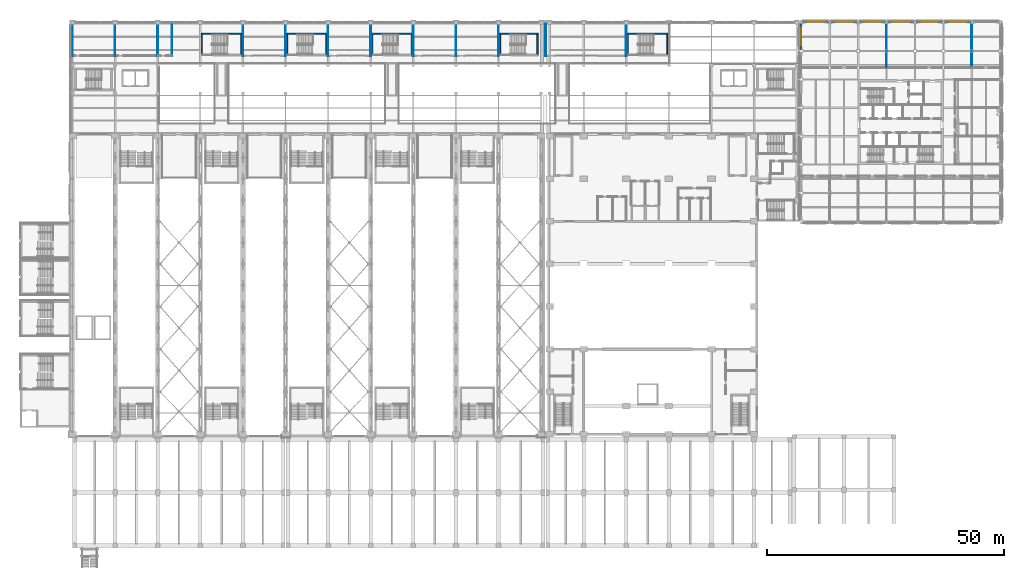
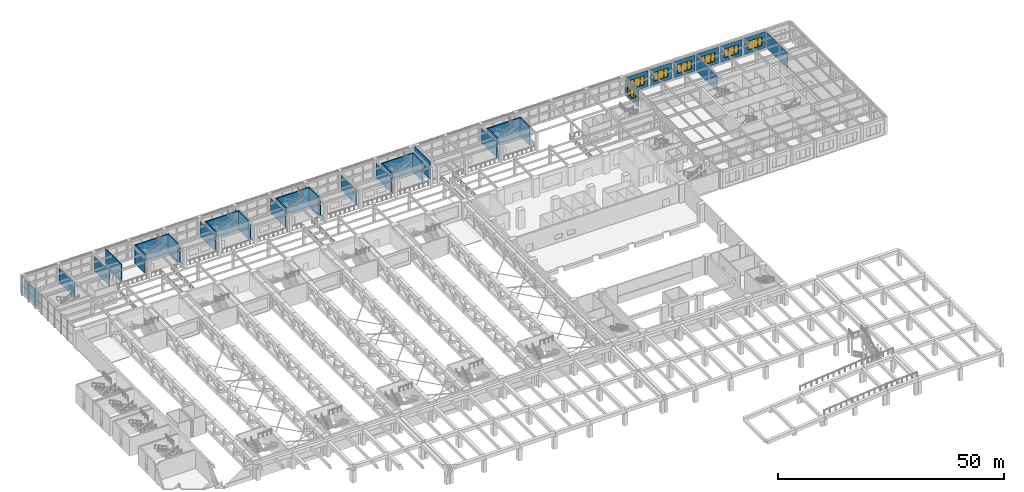
# One storey, part 45 of 76: 37 walls, 7 windows, 7 openings.
"""IFC4 building model written with IfcOpenShell, lengths in metres."""

from ifc_helpers import new_model, si_unit, direction, frame, frame_2d, origin, place, context, subcontext, project, spatial, polyline, rectangle, outline, extrude, material, layer, layer_set, type_object, element, fill, save


model = new_model("IFC4")

# Units and contexts
model_context = context("Model", 3, precision=1e-05, world=origin(), true_north=direction((0.0, 1.0)))
body_context = subcontext(model_context, "Body", "Model", "MODEL_VIEW")
ifc_project = project(units=[si_unit("LENGTHUNIT", "METRE"), si_unit("AREAUNIT", "SQUARE_METRE"), si_unit("VOLUMEUNIT", "CUBIC_METRE"), si_unit("PLANEANGLEUNIT", "RADIAN"), si_unit("MASSUNIT", "GRAM", prefix="KILO")], contexts=[model_context])

# Site, building, storey
site_placement = place(None, origin())
site = spatial("IfcSite", under=ifc_project, at=site_placement, CompositionType="ELEMENT")
building_placement = place(site_placement, origin())
building = spatial("IfcBuilding", under=site, at=building_placement, Name="Aravalli Gate Trade Fair Centre", CompositionType="ELEMENT")
storey_placement = place(building_placement, frame((0.0, 0.0, 10.0)))
storey = spatial("IfcBuildingStorey", under=building, at=storey_placement, Name="L02", CompositionType="ELEMENT", Elevation=10.0)

# Walls
ifc_material_1 = material(Name="Gypsum board")
ifc_layer_1 = layer(ifc_material_1, 0.02490234375, Name="Gypsum board lining")
ifc_material_2 = material(Name="Galvanised stud framing")
ifc_layer_2 = layer(ifc_material_2, 0.10009765625, Name="Stud framing")
ifc_layer_3 = layer(ifc_material_1, 0.02490234375, Name="Gypsum board lining")
ifc_layer_set_1 = layer_set([ifc_layer_1, ifc_layer_2, ifc_layer_3], Name="Partition wall 150")
wall_type_1 = type_object("IfcWallType", Name="Partition wall 150", PredefinedType="PARTITIONING", material=ifc_layer_set_1)
for number, where, z_axis, x_axis, name in (
    (1, (6.0, 125.925048828125, 0.0), (0.0, 0.0, 1.0), (0.0, 1.0, 0.0), "Partition 600 L02"),
    (2, (15.0, 125.925048828125, 0.0), (0.0, 0.0, 1.0), (0.0, 1.0, 0.0), "Partition 1500 L02"),
    (3, (24.0, 125.925048828125, 0.0), (0.0, 0.0, 1.0), (0.0, 1.0, 0.0), "Partition 2400 L02"),
):
    element("IfcWall", number, at=place(storey_placement, frame(where, z_axis=z_axis, x_axis=x_axis)), inside=storey, type_object=wall_type_1, Name=name, PredefinedType="PARTITIONING", context=body_context, shape_type="SweptSolid", body=[
        extrude(rectangle(XDim=6.675048828125, YDim=0.14990234375, at=frame_2d((3.33740234375, 0.0))), origin(), (0.0, 0.0, 1.0), 4.0),
    ])
wall_1_placement = place(storey_placement, frame((27.0, 125.925048828125, 0.0), z_axis=(0.0, 0.0, 1.0), x_axis=(0.0, 1.0, 0.0)))
element("IfcWall", 4, at=wall_1_placement, inside=storey, type_object=wall_type_1, Name="Partition 2700 L02", PredefinedType="PARTITIONING", context=body_context, shape_type="SweptSolid", body=[
    extrude(rectangle(XDim=6.994873046875, YDim=0.14990234375, at=frame_2d((3.49755859375, 0.0))), origin(), (0.0, 0.0, 1.0), 4.800048828125),
])
for number, where, z_axis, x_axis, name in (
    (5, (42.0, 125.925048828125, 0.0), (0.0, 0.0, 1.0), (0.0, 1.0, 0.0), "Partition 4200 L02"),
    (6, (51.0, 125.925048828125, 0.0), (0.0, 0.0, 1.0), (0.0, 1.0, 0.0), "Partition 5100 L02"),
    (7, (60.0, 125.925048828125, 0.0), (0.0, 0.0, 1.0), (0.0, 1.0, 0.0), "Partition 6000 L02"),
    (8, (69.0, 125.925048828125, 0.0), (0.0, 0.0, 1.0), (0.0, 1.0, 0.0), "Partition 6900 L02"),
    (9, (78.0, 125.925048828125, 0.0), (0.0, 0.0, 1.0), (0.0, 1.0, 0.0), "Partition 7800 L02"),
    (10, (87.0, 125.925048828125, 0.0), (0.0, 0.0, 1.0), (0.0, 1.0, 0.0), "Partition 8700 L02"),
    (11, (96.0, 125.925048828125, 0.0), (0.0, 0.0, 1.0), (0.0, 1.0, 0.0), "Partition 9600 L02"),
):
    element("IfcWall", number, at=place(storey_placement, frame(where, z_axis=z_axis, x_axis=x_axis)), inside=storey, type_object=wall_type_1, Name=name, PredefinedType="PARTITIONING", context=body_context, shape_type="SweptSolid", body=[
        extrude(rectangle(XDim=6.675048828125, YDim=0.14990234375, at=frame_2d((3.33740234375, 0.0))), origin(), (0.0, 0.0, 1.0), 4.0),
    ])
wall_2_placement = place(storey_placement, frame((106.0, 125.925048828125, 0.0), z_axis=(0.0, 0.0, 1.0), x_axis=(0.0, 1.0, 0.0)))
element("IfcWall", 12, at=wall_2_placement, inside=storey, type_object=wall_type_1, Name="Partition 10600 L02", PredefinedType="PARTITIONING", context=body_context, shape_type="SweptSolid", body=[
    extrude(rectangle(XDim=6.994873046875, YDim=0.14990234375, at=frame_2d((3.49755859375, 0.0))), origin(), (0.0, 0.0, 1.0), 4.800048828125),
])
wall_3_placement = place(storey_placement, frame((123.0, 125.925048828125, 0.0), z_axis=(0.0, 0.0, 1.0), x_axis=(0.0, 1.0, 0.0)))
element("IfcWall", 13, at=wall_3_placement, inside=storey, type_object=wall_type_1, Name="Partition 12300 L02", PredefinedType="PARTITIONING", context=body_context, shape_type="SweptSolid", body=[
    extrude(rectangle(XDim=6.675048828125, YDim=0.14990234375, at=frame_2d((3.33740234375, 0.0))), origin(), (0.0, 0.0, 1.0), 4.0),
])
ifc_material_3 = material(Name="Concrete M40", Category="concrete")
ifc_layer_4 = layer(ifc_material_3, 0.300048828125)
ifc_layer_set_2 = layer_set([ifc_layer_4], Name="Concrete M40")
wall_type_2 = type_object("IfcWallType", Name="RC core wall 300", PredefinedType="SHEAR", material=ifc_layer_set_2)
wall_4_placement = place(storey_placement, frame((33.14990234375, 130.64990234375, 0.0), z_axis=(0.0, 0.0, 1.0), x_axis=(1.0, 0.0, 0.0)))
element("IfcWall", 14, at=wall_4_placement, inside=storey, type_object=wall_type_2, Name="Core wall XAN L02", PredefinedType="SHEAR", context=body_context, shape_type="SweptSolid", body=[
    extrude(rectangle(XDim=8.7001953125, YDim=0.300048828125, at=frame_2d((4.35009765625, 0.0))), origin(), (0.0, 0.0, 1.0), 5.0),
])
for number, where, z_axis, x_axis, name in (
    (15, (33.300048828125, 126.300048828125, 0.0), (0.0, 0.0, 1.0), (0.0, 1.0, 0.0), "Core wall XAW L02"),
    (16, (41.699951171875, 126.300048828125, 0.0), (0.0, 0.0, 1.0), (0.0, 1.0, 0.0), "Core wall XAE L02"),
):
    element("IfcWall", number, at=place(storey_placement, frame(where, z_axis=z_axis, x_axis=x_axis)), inside=storey, type_object=wall_type_2, Name=name, PredefinedType="SHEAR", context=body_context, shape_type="SweptSolid", body=[
        extrude(rectangle(XDim=4.199951171875, YDim=0.300048828125, at=frame_2d((2.10009765625, 0.0))), origin(), (0.0, 0.0, 1.0), 5.0),
    ])
wall_5_placement = place(storey_placement, frame((51.14990234375, 130.64990234375, 0.0), z_axis=(0.0, 0.0, 1.0), x_axis=(1.0, 0.0, 0.0)))
element("IfcWall", 17, at=wall_5_placement, inside=storey, type_object=wall_type_2, Name="Core wall XBN L02", PredefinedType="SHEAR", context=body_context, shape_type="SweptSolid", body=[
    extrude(rectangle(XDim=8.7001953125, YDim=0.300048828125, at=frame_2d((4.35009765625, 0.0))), origin(), (0.0, 0.0, 1.0), 5.0),
])
for number, where, z_axis, x_axis, name in (
    (18, (51.300048828125, 126.300048828125, 0.0), (0.0, 0.0, 1.0), (0.0, 1.0, 0.0), "Core wall XBW L02"),
    (19, (59.699951171875, 126.300048828125, 0.0), (0.0, 0.0, 1.0), (0.0, 1.0, 0.0), "Core wall XBE L02"),
):
    element("IfcWall", number, at=place(storey_placement, frame(where, z_axis=z_axis, x_axis=x_axis)), inside=storey, type_object=wall_type_2, Name=name, PredefinedType="SHEAR", context=body_context, shape_type="SweptSolid", body=[
        extrude(rectangle(XDim=4.199951171875, YDim=0.300048828125, at=frame_2d((2.10009765625, 0.0))), origin(), (0.0, 0.0, 1.0), 5.0),
    ])
wall_6_placement = place(storey_placement, frame((69.14990234375, 130.64990234375, 0.0), z_axis=(0.0, 0.0, 1.0), x_axis=(1.0, 0.0, 0.0)))
element("IfcWall", 20, at=wall_6_placement, inside=storey, type_object=wall_type_2, Name="Core wall XCN L02", PredefinedType="SHEAR", context=body_context, shape_type="SweptSolid", body=[
    extrude(rectangle(XDim=8.7001953125, YDim=0.300048828125, at=frame_2d((4.35009765625, 0.0))), origin(), (0.0, 0.0, 1.0), 5.0),
])
for number, where, z_axis, x_axis, name in (
    (21, (69.300048828125, 126.300048828125, 0.0), (0.0, 0.0, 1.0), (0.0, 1.0, 0.0), "Core wall XCW L02"),
    (22, (77.699951171875, 126.300048828125, 0.0), (0.0, 0.0, 1.0), (0.0, 1.0, 0.0), "Core wall XCE L02"),
):
    element("IfcWall", number, at=place(storey_placement, frame(where, z_axis=z_axis, x_axis=x_axis)), inside=storey, type_object=wall_type_2, Name=name, PredefinedType="SHEAR", context=body_context, shape_type="SweptSolid", body=[
        extrude(rectangle(XDim=4.199951171875, YDim=0.300048828125, at=frame_2d((2.10009765625, 0.0))), origin(), (0.0, 0.0, 1.0), 5.0),
    ])
wall_7_placement = place(storey_placement, frame((96.14990234375, 130.64990234375, 0.0), z_axis=(0.0, 0.0, 1.0), x_axis=(1.0, 0.0, 0.0)))
element("IfcWall", 23, at=wall_7_placement, inside=storey, type_object=wall_type_2, Name="Core wall XDN L02", PredefinedType="SHEAR", context=body_context, shape_type="SweptSolid", body=[
    extrude(rectangle(XDim=8.2001953125, YDim=0.300048828125, at=frame_2d((4.10009765625, 0.0))), origin(), (0.0, 0.0, 1.0), 5.0),
])
for number, where, z_axis, x_axis, name in (
    (24, (96.300048828125, 126.300048828125, 0.0), (0.0, 0.0, 1.0), (0.0, 1.0, 0.0), "Core wall XDW L02"),
    (25, (104.199951171875, 126.300048828125, 0.0), (0.0, 0.0, 1.0), (0.0, 1.0, 0.0), "Core wall XDE L02"),
):
    element("IfcWall", number, at=place(storey_placement, frame(where, z_axis=z_axis, x_axis=x_axis)), inside=storey, type_object=wall_type_2, Name=name, PredefinedType="SHEAR", context=body_context, shape_type="SweptSolid", body=[
        extrude(rectangle(XDim=4.199951171875, YDim=0.300048828125, at=frame_2d((2.10009765625, 0.0))), origin(), (0.0, 0.0, 1.0), 5.0),
    ])
wall_8_placement = place(storey_placement, frame((123.14990234375, 130.64990234375, 0.0), z_axis=(0.0, 0.0, 1.0), x_axis=(1.0, 0.0, 0.0)))
element("IfcWall", 26, at=wall_8_placement, inside=storey, type_object=wall_type_2, Name="Core wall XEN L02", PredefinedType="SHEAR", context=body_context, shape_type="SweptSolid", body=[
    extrude(rectangle(XDim=8.7001953125, YDim=0.300048828125, at=frame_2d((4.35009765625, 0.0))), origin(), (0.0, 0.0, 1.0), 5.0),
])
for number, where, z_axis, x_axis, name in (
    (27, (123.300048828125, 126.300048828125, 0.0), (0.0, 0.0, 1.0), (0.0, 1.0, 0.0), "Core wall XEW L02"),
    (28, (131.699951171875, 126.300048828125, 0.0), (0.0, 0.0, 1.0), (0.0, 1.0, 0.0), "Core wall XEE L02"),
):
    element("IfcWall", number, at=place(storey_placement, frame(where, z_axis=z_axis, x_axis=x_axis)), inside=storey, type_object=wall_type_2, Name=name, PredefinedType="SHEAR", context=body_context, shape_type="SweptSolid", body=[
        extrude(rectangle(XDim=4.199951171875, YDim=0.300048828125, at=frame_2d((2.10009765625, 0.0))), origin(), (0.0, 0.0, 1.0), 5.0),
    ])
ifc_material_4 = material(Name="Blockwork with fire-rated lining", Category="masonry")
ifc_layer_5 = layer(ifc_material_4, 0.14990234375)
ifc_layer_set_3 = layer_set([ifc_layer_5], Name="Blockwork with fire-rated lining")
wall_type_3 = type_object("IfcWallType", Name="Wing partition 150 (EI 60, corridor wall)", PredefinedType="PARTITIONING", material=ifc_layer_set_3)
for number, where, z_axis, x_axis, name in (
    (29, (178.0, 123.550048828125, 0.0), (0.0, 0.0, 1.0), (0.0, 1.0, 0.0), "Partition NP1 L02"),
    (30, (196.0, 123.550048828125, 0.0), (0.0, 0.0, 1.0), (0.0, 1.0, 0.0), "Partition NP2 L02"),
):
    element("IfcWall", number, at=place(storey_placement, frame(where, z_axis=z_axis, x_axis=x_axis)), inside=storey, type_object=wall_type_3, Name=name, PredefinedType="PARTITIONING", context=body_context, shape_type="SweptSolid", body=[
        extrude(rectangle(XDim=9.39990234375, YDim=0.14990234375, at=frame_2d((4.699951171875, 0.0))), origin(), (0.0, 0.0, 1.0), 4.199951171875),
    ])

# Wall, opening, window
ifc_material_5 = material(Name="Concrete block masonry", Category="masonry")
ifc_layer_6 = layer(ifc_material_5, 0.2099609375, Name="Block masonry")
ifc_material_6 = material(Name="Terracotta cladding", Category="masonry")
ifc_layer_7 = layer(ifc_material_6, 0.0400390625, Name="Terracotta cladding")
ifc_layer_set_4 = layer_set([ifc_layer_6, ifc_layer_7], Name="Wing terracotta clad infill wall 250")
wall_type_4 = type_object("IfcWallType", Name="Wing terracotta clad infill wall 250", PredefinedType="SOLIDWALL", material=ifc_layer_set_4)
wall_9_placement = place(storey_placement, frame((160.27490234375, 133.074951171875, 0.0), z_axis=(0.0, 0.0, 1.0), x_axis=(1.0, 0.0, 0.0)))
wall_9 = element("IfcWall", 31, at=wall_9_placement, inside=storey, type_object=wall_type_4, Name="Facade wall N0 L02", PredefinedType="SOLIDWALL", context=body_context, shape_type="SweptSolid", body=[
    extrude(rectangle(XDim=5.4501953125, YDim=0.25, at=frame_2d((2.72509765625, 0.0))), origin(), (0.0, 0.0, 1.0), 4.35009765625),
])
opening_1_placement = place(wall_9_placement, frame((0.925048828125, 0.0, 0.89990234375)))
opening_1 = element("IfcOpeningElement", 32, at=opening_1_placement, cuts=wall_9, Name="Opening TWN1", PredefinedType="OPENING", context=body_context, shape_type="SweptSolid", body=[
    extrude(rectangle(XDim=3.60009765625, YDim=2.39990234375, at=frame_2d((1.800048828125, 1.199951171875))), frame((0.0, 0.135009765625, 0.0), z_axis=(0.0, -1.0, 0.0), x_axis=(1.0, 0.0, 0.0)), (0.0, 0.0, 1.0), 0.27001953125),
])
ifc_material_7 = material(Name="Aluminium and glass", Category="aluminium")
window_type = type_object("IfcWindowType", Name="Wing chicago window 3600 x 2400", PartitioningType="TRIPLE_PANEL_VERTICAL", PredefinedType="WINDOW", material=ifc_material_7)
window_1_placement = place(opening_1_placement, origin())
window_1 = element("IfcWindow", 33, at=window_1_placement, inside=storey, type_object=window_type, Name="Window N0 L02", OverallHeight=2.39990234375, OverallWidth=3.60009765625, PartitioningType="TRIPLE_PANEL_VERTICAL", PredefinedType="WINDOW", context=body_context, shape_type="SweptSolid", body=[
    extrude(outline(polyline([(0.0, 0.0), (3.60009765625, 0.0), (3.60009765625, 2.39990234375), (0.0, 2.39990234375), (0.0, 0.0)]), holes=[polyline([(0.06005859375, 0.06005859375), (0.9599609375, 0.06005859375), (0.9599609375, 2.33984375), (0.06005859375, 2.33984375), (0.06005859375, 0.06005859375)]), polyline([(1.06005859375, 0.06005859375), (2.539794921875, 0.06005859375), (2.539794921875, 2.33984375), (1.06005859375, 2.33984375), (1.06005859375, 0.06005859375)]), polyline([(2.639892578125, 0.06005859375), (3.539794921875, 0.06005859375), (3.539794921875, 2.33984375), (2.639892578125, 2.33984375), (2.639892578125, 0.06005859375)])]), frame((0.0, 0.030029296875, 0.0), z_axis=(0.0, -1.0, 0.0), x_axis=(1.0, 0.0, 0.0)), (0.0, 0.0, 1.0), 0.06005859375),
    extrude(rectangle(XDim=0.923828125, YDim=2.3037109375, at=frame_2d((0.510009765625, 1.199951171875))), frame((0.0, 0.010009765625, 0.0), z_axis=(0.0, -1.0, 0.0), x_axis=(1.0, 0.0, 0.0)), (0.0, 0.0, 1.0), 0.02001953125),
    extrude(rectangle(XDim=1.503662109375, YDim=2.3037109375, at=frame_2d((1.7998046875, 1.199951171875))), frame((0.0, 0.010009765625, 0.0), z_axis=(0.0, -1.0, 0.0), x_axis=(1.0, 0.0, 0.0)), (0.0, 0.0, 1.0), 0.02001953125),
    extrude(rectangle(XDim=0.923828125, YDim=2.3037109375, at=frame_2d((3.08984375, 1.199951171875))), frame((0.0, 0.010009765625, 0.0), z_axis=(0.0, -1.0, 0.0), x_axis=(1.0, 0.0, 0.0)), (0.0, 0.0, 1.0), 0.02001953125),
])
fill(opening_1, window_1)

wall_10_placement = place(storey_placement, frame((166.27490234375, 133.074951171875, 0.0), z_axis=(0.0, 0.0, 1.0), x_axis=(1.0, 0.0, 0.0)))
wall_10 = element("IfcWall", 34, at=wall_10_placement, inside=storey, type_object=wall_type_4, Name="Facade wall N1 L02", PredefinedType="SOLIDWALL", context=body_context, shape_type="SweptSolid", body=[
    extrude(rectangle(XDim=5.4501953125, YDim=0.25, at=frame_2d((2.72509765625, 0.0))), origin(), (0.0, 0.0, 1.0), 4.35009765625),
])
opening_2_placement = place(wall_10_placement, frame((0.925048828125, 0.0, 0.89990234375)))
opening_2 = element("IfcOpeningElement", 35, at=opening_2_placement, cuts=wall_10, Name="Opening TWN1", PredefinedType="OPENING", context=body_context, shape_type="SweptSolid", body=[
    extrude(rectangle(XDim=3.60009765625, YDim=2.39990234375, at=frame_2d((1.800048828125, 1.199951171875))), frame((0.0, 0.135009765625, 0.0), z_axis=(0.0, -1.0, 0.0), x_axis=(1.0, 0.0, 0.0)), (0.0, 0.0, 1.0), 0.27001953125),
])
window_2_placement = place(opening_2_placement, origin())
window_2 = element("IfcWindow", 36, at=window_2_placement, inside=storey, type_object=window_type, Name="Window N1 L02", OverallHeight=2.39990234375, OverallWidth=3.60009765625, PartitioningType="TRIPLE_PANEL_VERTICAL", PredefinedType="WINDOW", context=body_context, shape_type="SweptSolid", body=[
    extrude(outline(polyline([(0.0, 0.0), (3.60009765625, 0.0), (3.60009765625, 2.39990234375), (0.0, 2.39990234375), (0.0, 0.0)]), holes=[polyline([(0.06005859375, 0.06005859375), (0.9599609375, 0.06005859375), (0.9599609375, 2.33984375), (0.06005859375, 2.33984375), (0.06005859375, 0.06005859375)]), polyline([(1.06005859375, 0.06005859375), (2.539794921875, 0.06005859375), (2.539794921875, 2.33984375), (1.06005859375, 2.33984375), (1.06005859375, 0.06005859375)]), polyline([(2.639892578125, 0.06005859375), (3.539794921875, 0.06005859375), (3.539794921875, 2.33984375), (2.639892578125, 2.33984375), (2.639892578125, 0.06005859375)])]), frame((0.0, 0.030029296875, 0.0), z_axis=(0.0, -1.0, 0.0), x_axis=(1.0, 0.0, 0.0)), (0.0, 0.0, 1.0), 0.06005859375),
    extrude(rectangle(XDim=0.923828125, YDim=2.3037109375, at=frame_2d((0.510009765625, 1.199951171875))), frame((0.0, 0.010009765625, 0.0), z_axis=(0.0, -1.0, 0.0), x_axis=(1.0, 0.0, 0.0)), (0.0, 0.0, 1.0), 0.02001953125),
    extrude(rectangle(XDim=1.503662109375, YDim=2.3037109375, at=frame_2d((1.7998046875, 1.199951171875))), frame((0.0, 0.010009765625, 0.0), z_axis=(0.0, -1.0, 0.0), x_axis=(1.0, 0.0, 0.0)), (0.0, 0.0, 1.0), 0.02001953125),
    extrude(rectangle(XDim=0.923828125, YDim=2.3037109375, at=frame_2d((3.08984375, 1.199951171875))), frame((0.0, 0.010009765625, 0.0), z_axis=(0.0, -1.0, 0.0), x_axis=(1.0, 0.0, 0.0)), (0.0, 0.0, 1.0), 0.02001953125),
])
fill(opening_2, window_2)

wall_11_placement = place(storey_placement, frame((172.27490234375, 133.074951171875, 0.0), z_axis=(0.0, 0.0, 1.0), x_axis=(1.0, 0.0, 0.0)))
wall_11 = element("IfcWall", 37, at=wall_11_placement, inside=storey, type_object=wall_type_4, Name="Facade wall N2 L02", PredefinedType="SOLIDWALL", context=body_context, shape_type="SweptSolid", body=[
    extrude(rectangle(XDim=5.4501953125, YDim=0.25, at=frame_2d((2.72509765625, 0.0))), origin(), (0.0, 0.0, 1.0), 4.35009765625),
])
opening_3_placement = place(wall_11_placement, frame((0.925048828125, 0.0, 0.89990234375)))
opening_3 = element("IfcOpeningElement", 38, at=opening_3_placement, cuts=wall_11, Name="Opening TWN1", PredefinedType="OPENING", context=body_context, shape_type="SweptSolid", body=[
    extrude(rectangle(XDim=3.60009765625, YDim=2.39990234375, at=frame_2d((1.800048828125, 1.199951171875))), frame((0.0, 0.135009765625, 0.0), z_axis=(0.0, -1.0, 0.0), x_axis=(1.0, 0.0, 0.0)), (0.0, 0.0, 1.0), 0.27001953125),
])
window_3_placement = place(opening_3_placement, origin())
window_3 = element("IfcWindow", 39, at=window_3_placement, inside=storey, type_object=window_type, Name="Window N2 L02", OverallHeight=2.39990234375, OverallWidth=3.60009765625, PartitioningType="TRIPLE_PANEL_VERTICAL", PredefinedType="WINDOW", context=body_context, shape_type="SweptSolid", body=[
    extrude(outline(polyline([(0.0, 0.0), (3.60009765625, 0.0), (3.60009765625, 2.39990234375), (0.0, 2.39990234375), (0.0, 0.0)]), holes=[polyline([(0.06005859375, 0.06005859375), (0.9599609375, 0.06005859375), (0.9599609375, 2.33984375), (0.06005859375, 2.33984375), (0.06005859375, 0.06005859375)]), polyline([(1.06005859375, 0.06005859375), (2.539794921875, 0.06005859375), (2.539794921875, 2.33984375), (1.06005859375, 2.33984375), (1.06005859375, 0.06005859375)]), polyline([(2.639892578125, 0.06005859375), (3.539794921875, 0.06005859375), (3.539794921875, 2.33984375), (2.639892578125, 2.33984375), (2.639892578125, 0.06005859375)])]), frame((0.0, 0.030029296875, 0.0), z_axis=(0.0, -1.0, 0.0), x_axis=(1.0, 0.0, 0.0)), (0.0, 0.0, 1.0), 0.06005859375),
    extrude(rectangle(XDim=0.923828125, YDim=2.3037109375, at=frame_2d((0.510009765625, 1.199951171875))), frame((0.0, 0.010009765625, 0.0), z_axis=(0.0, -1.0, 0.0), x_axis=(1.0, 0.0, 0.0)), (0.0, 0.0, 1.0), 0.02001953125),
    extrude(rectangle(XDim=1.503662109375, YDim=2.3037109375, at=frame_2d((1.7998046875, 1.199951171875))), frame((0.0, 0.010009765625, 0.0), z_axis=(0.0, -1.0, 0.0), x_axis=(1.0, 0.0, 0.0)), (0.0, 0.0, 1.0), 0.02001953125),
    extrude(rectangle(XDim=0.923828125, YDim=2.3037109375, at=frame_2d((3.08984375, 1.199951171875))), frame((0.0, 0.010009765625, 0.0), z_axis=(0.0, -1.0, 0.0), x_axis=(1.0, 0.0, 0.0)), (0.0, 0.0, 1.0), 0.02001953125),
])
fill(opening_3, window_3)

wall_12_placement = place(storey_placement, frame((178.27490234375, 133.074951171875, 0.0), z_axis=(0.0, 0.0, 1.0), x_axis=(1.0, 0.0, 0.0)))
wall_12 = element("IfcWall", 40, at=wall_12_placement, inside=storey, type_object=wall_type_4, Name="Facade wall N3 L02", PredefinedType="SOLIDWALL", context=body_context, shape_type="SweptSolid", body=[
    extrude(rectangle(XDim=5.4501953125, YDim=0.25, at=frame_2d((2.72509765625, 0.0))), origin(), (0.0, 0.0, 1.0), 4.35009765625),
])
opening_4_placement = place(wall_12_placement, frame((0.925048828125, 0.0, 0.89990234375)))
opening_4 = element("IfcOpeningElement", 41, at=opening_4_placement, cuts=wall_12, Name="Opening TWN1", PredefinedType="OPENING", context=body_context, shape_type="SweptSolid", body=[
    extrude(rectangle(XDim=3.60009765625, YDim=2.39990234375, at=frame_2d((1.800048828125, 1.199951171875))), frame((0.0, 0.135009765625, 0.0), z_axis=(0.0, -1.0, 0.0), x_axis=(1.0, 0.0, 0.0)), (0.0, 0.0, 1.0), 0.27001953125),
])
window_4_placement = place(opening_4_placement, origin())
window_4 = element("IfcWindow", 42, at=window_4_placement, inside=storey, type_object=window_type, Name="Window N3 L02", OverallHeight=2.39990234375, OverallWidth=3.60009765625, PartitioningType="TRIPLE_PANEL_VERTICAL", PredefinedType="WINDOW", context=body_context, shape_type="SweptSolid", body=[
    extrude(outline(polyline([(0.0, 0.0), (3.60009765625, 0.0), (3.60009765625, 2.39990234375), (0.0, 2.39990234375), (0.0, 0.0)]), holes=[polyline([(0.06005859375, 0.06005859375), (0.9599609375, 0.06005859375), (0.9599609375, 2.33984375), (0.06005859375, 2.33984375), (0.06005859375, 0.06005859375)]), polyline([(1.06005859375, 0.06005859375), (2.539794921875, 0.06005859375), (2.539794921875, 2.33984375), (1.06005859375, 2.33984375), (1.06005859375, 0.06005859375)]), polyline([(2.639892578125, 0.06005859375), (3.539794921875, 0.06005859375), (3.539794921875, 2.33984375), (2.639892578125, 2.33984375), (2.639892578125, 0.06005859375)])]), frame((0.0, 0.030029296875, 0.0), z_axis=(0.0, -1.0, 0.0), x_axis=(1.0, 0.0, 0.0)), (0.0, 0.0, 1.0), 0.06005859375),
    extrude(rectangle(XDim=0.923828125, YDim=2.3037109375, at=frame_2d((0.510009765625, 1.199951171875))), frame((0.0, 0.010009765625, 0.0), z_axis=(0.0, -1.0, 0.0), x_axis=(1.0, 0.0, 0.0)), (0.0, 0.0, 1.0), 0.02001953125),
    extrude(rectangle(XDim=1.503662109375, YDim=2.3037109375, at=frame_2d((1.7998046875, 1.199951171875))), frame((0.0, 0.010009765625, 0.0), z_axis=(0.0, -1.0, 0.0), x_axis=(1.0, 0.0, 0.0)), (0.0, 0.0, 1.0), 0.02001953125),
    extrude(rectangle(XDim=0.923828125, YDim=2.3037109375, at=frame_2d((3.08984375, 1.199951171875))), frame((0.0, 0.010009765625, 0.0), z_axis=(0.0, -1.0, 0.0), x_axis=(1.0, 0.0, 0.0)), (0.0, 0.0, 1.0), 0.02001953125),
])
fill(opening_4, window_4)

wall_13_placement = place(storey_placement, frame((184.27490234375, 133.074951171875, 0.0), z_axis=(0.0, 0.0, 1.0), x_axis=(1.0, 0.0, 0.0)))
wall_13 = element("IfcWall", 43, at=wall_13_placement, inside=storey, type_object=wall_type_4, Name="Facade wall N4 L02", PredefinedType="SOLIDWALL", context=body_context, shape_type="SweptSolid", body=[
    extrude(rectangle(XDim=5.4501953125, YDim=0.25, at=frame_2d((2.72509765625, 0.0))), origin(), (0.0, 0.0, 1.0), 4.35009765625),
])
opening_5_placement = place(wall_13_placement, frame((0.925048828125, 0.0, 0.89990234375)))
opening_5 = element("IfcOpeningElement", 44, at=opening_5_placement, cuts=wall_13, Name="Opening TWN1", PredefinedType="OPENING", context=body_context, shape_type="SweptSolid", body=[
    extrude(rectangle(XDim=3.60009765625, YDim=2.39990234375, at=frame_2d((1.800048828125, 1.199951171875))), frame((0.0, 0.135009765625, 0.0), z_axis=(0.0, -1.0, 0.0), x_axis=(1.0, 0.0, 0.0)), (0.0, 0.0, 1.0), 0.27001953125),
])
window_5_placement = place(opening_5_placement, origin())
window_5 = element("IfcWindow", 45, at=window_5_placement, inside=storey, type_object=window_type, Name="Window N4 L02", OverallHeight=2.39990234375, OverallWidth=3.60009765625, PartitioningType="TRIPLE_PANEL_VERTICAL", PredefinedType="WINDOW", context=body_context, shape_type="SweptSolid", body=[
    extrude(outline(polyline([(0.0, 0.0), (3.60009765625, 0.0), (3.60009765625, 2.39990234375), (0.0, 2.39990234375), (0.0, 0.0)]), holes=[polyline([(0.06005859375, 0.06005859375), (0.9599609375, 0.06005859375), (0.9599609375, 2.33984375), (0.06005859375, 2.33984375), (0.06005859375, 0.06005859375)]), polyline([(1.06005859375, 0.06005859375), (2.539794921875, 0.06005859375), (2.539794921875, 2.33984375), (1.06005859375, 2.33984375), (1.06005859375, 0.06005859375)]), polyline([(2.639892578125, 0.06005859375), (3.539794921875, 0.06005859375), (3.539794921875, 2.33984375), (2.639892578125, 2.33984375), (2.639892578125, 0.06005859375)])]), frame((0.0, 0.030029296875, 0.0), z_axis=(0.0, -1.0, 0.0), x_axis=(1.0, 0.0, 0.0)), (0.0, 0.0, 1.0), 0.06005859375),
    extrude(rectangle(XDim=0.923828125, YDim=2.3037109375, at=frame_2d((0.510009765625, 1.199951171875))), frame((0.0, 0.010009765625, 0.0), z_axis=(0.0, -1.0, 0.0), x_axis=(1.0, 0.0, 0.0)), (0.0, 0.0, 1.0), 0.02001953125),
    extrude(rectangle(XDim=1.503662109375, YDim=2.3037109375, at=frame_2d((1.7998046875, 1.199951171875))), frame((0.0, 0.010009765625, 0.0), z_axis=(0.0, -1.0, 0.0), x_axis=(1.0, 0.0, 0.0)), (0.0, 0.0, 1.0), 0.02001953125),
    extrude(rectangle(XDim=0.923828125, YDim=2.3037109375, at=frame_2d((3.08984375, 1.199951171875))), frame((0.0, 0.010009765625, 0.0), z_axis=(0.0, -1.0, 0.0), x_axis=(1.0, 0.0, 0.0)), (0.0, 0.0, 1.0), 0.02001953125),
])
fill(opening_5, window_5)

wall_14_placement = place(storey_placement, frame((190.27490234375, 133.074951171875, 0.0), z_axis=(0.0, 0.0, 1.0), x_axis=(1.0, 0.0, 0.0)))
wall_14 = element("IfcWall", 46, at=wall_14_placement, inside=storey, type_object=wall_type_4, Name="Facade wall N5 L02", PredefinedType="SOLIDWALL", context=body_context, shape_type="SweptSolid", body=[
    extrude(rectangle(XDim=5.4501953125, YDim=0.25, at=frame_2d((2.72509765625, 0.0))), origin(), (0.0, 0.0, 1.0), 4.35009765625),
])
opening_6_placement = place(wall_14_placement, frame((0.925048828125, 0.0, 0.89990234375)))
opening_6 = element("IfcOpeningElement", 47, at=opening_6_placement, cuts=wall_14, Name="Opening TWN1", PredefinedType="OPENING", context=body_context, shape_type="SweptSolid", body=[
    extrude(rectangle(XDim=3.60009765625, YDim=2.39990234375, at=frame_2d((1.800048828125, 1.199951171875))), frame((0.0, 0.135009765625, 0.0), z_axis=(0.0, -1.0, 0.0), x_axis=(1.0, 0.0, 0.0)), (0.0, 0.0, 1.0), 0.27001953125),
])
window_6_placement = place(opening_6_placement, origin())
window_6 = element("IfcWindow", 48, at=window_6_placement, inside=storey, type_object=window_type, Name="Window N5 L02", OverallHeight=2.39990234375, OverallWidth=3.60009765625, PartitioningType="TRIPLE_PANEL_VERTICAL", PredefinedType="WINDOW", context=body_context, shape_type="SweptSolid", body=[
    extrude(outline(polyline([(0.0, 0.0), (3.60009765625, 0.0), (3.60009765625, 2.39990234375), (0.0, 2.39990234375), (0.0, 0.0)]), holes=[polyline([(0.06005859375, 0.06005859375), (0.9599609375, 0.06005859375), (0.9599609375, 2.33984375), (0.06005859375, 2.33984375), (0.06005859375, 0.06005859375)]), polyline([(1.06005859375, 0.06005859375), (2.539794921875, 0.06005859375), (2.539794921875, 2.33984375), (1.06005859375, 2.33984375), (1.06005859375, 0.06005859375)]), polyline([(2.639892578125, 0.06005859375), (3.539794921875, 0.06005859375), (3.539794921875, 2.33984375), (2.639892578125, 2.33984375), (2.639892578125, 0.06005859375)])]), frame((0.0, 0.030029296875, 0.0), z_axis=(0.0, -1.0, 0.0), x_axis=(1.0, 0.0, 0.0)), (0.0, 0.0, 1.0), 0.06005859375),
    extrude(rectangle(XDim=0.923828125, YDim=2.3037109375, at=frame_2d((0.510009765625, 1.199951171875))), frame((0.0, 0.010009765625, 0.0), z_axis=(0.0, -1.0, 0.0), x_axis=(1.0, 0.0, 0.0)), (0.0, 0.0, 1.0), 0.02001953125),
    extrude(rectangle(XDim=1.503662109375, YDim=2.3037109375, at=frame_2d((1.7998046875, 1.199951171875))), frame((0.0, 0.010009765625, 0.0), z_axis=(0.0, -1.0, 0.0), x_axis=(1.0, 0.0, 0.0)), (0.0, 0.0, 1.0), 0.02001953125),
    extrude(rectangle(XDim=0.923828125, YDim=2.3037109375, at=frame_2d((3.08984375, 1.199951171875))), frame((0.0, 0.010009765625, 0.0), z_axis=(0.0, -1.0, 0.0), x_axis=(1.0, 0.0, 0.0)), (0.0, 0.0, 1.0), 0.02001953125),
])
fill(opening_6, window_6)

ifc_layer_8 = layer(ifc_material_5, 0.2099609375, Name="Block masonry")
ifc_layer_9 = layer(ifc_material_6, 0.0400390625, Name="Terracotta cladding")
ifc_layer_set_5 = layer_set([ifc_layer_8, ifc_layer_9], Name="Wing west closing wall 250")
wall_type_5 = type_object("IfcWallType", Name="Wing west closing wall 250", PredefinedType="SOLIDWALL", material=ifc_layer_set_5)
wall_15_placement = place(storey_placement, frame((159.925048828125, 127.27490234375, 0.0), z_axis=(0.0, 0.0, 1.0), x_axis=(0.0, 1.0, 0.0)))
wall_15 = element("IfcWall", 49, at=wall_15_placement, inside=storey, type_object=wall_type_5, Name="Facade wall W6 L02", PredefinedType="SOLIDWALL", context=body_context, shape_type="SweptSolid", body=[
    extrude(rectangle(XDim=5.4501953125, YDim=0.25, at=frame_2d((2.72509765625, 0.0))), origin(), (0.0, 0.0, 1.0), 4.35009765625),
])
opening_7_placement = place(wall_15_placement, frame((0.925048828125, 0.0, 0.89990234375)))
opening_7 = element("IfcOpeningElement", 50, at=opening_7_placement, cuts=wall_15, Name="Opening TWN1", PredefinedType="OPENING", context=body_context, shape_type="SweptSolid", body=[
    extrude(rectangle(XDim=3.60009765625, YDim=2.39990234375, at=frame_2d((1.800048828125, 1.199951171875))), frame((0.0, 0.135009765625, 0.0), z_axis=(0.0, -1.0, 0.0), x_axis=(1.0, 0.0, 0.0)), (0.0, 0.0, 1.0), 0.27001953125),
])
window_7_placement = place(opening_7_placement, origin())
window_7 = element("IfcWindow", 51, at=window_7_placement, inside=storey, type_object=window_type, Name="Window W6 L02", OverallHeight=2.39990234375, OverallWidth=3.60009765625, PartitioningType="TRIPLE_PANEL_VERTICAL", PredefinedType="WINDOW", context=body_context, shape_type="SweptSolid", body=[
    extrude(outline(polyline([(0.0, 0.0), (3.60009765625, 0.0), (3.60009765625, 2.39990234375), (0.0, 2.39990234375), (0.0, 0.0)]), holes=[polyline([(0.06005859375, 0.06005859375), (0.9599609375, 0.06005859375), (0.9599609375, 2.33984375), (0.06005859375, 2.33984375), (0.06005859375, 0.06005859375)]), polyline([(1.06005859375, 0.06005859375), (2.539794921875, 0.06005859375), (2.539794921875, 2.33984375), (1.06005859375, 2.33984375), (1.06005859375, 0.06005859375)]), polyline([(2.639892578125, 0.06005859375), (3.539794921875, 0.06005859375), (3.539794921875, 2.33984375), (2.639892578125, 2.33984375), (2.639892578125, 0.06005859375)])]), frame((0.0, 0.030029296875, 0.0), z_axis=(0.0, -1.0, 0.0), x_axis=(1.0, 0.0, 0.0)), (0.0, 0.0, 1.0), 0.06005859375),
    extrude(rectangle(XDim=0.923828125, YDim=2.3037109375, at=frame_2d((0.510009765625, 1.199951171875))), frame((0.0, 0.010009765625, 0.0), z_axis=(0.0, -1.0, 0.0), x_axis=(1.0, 0.0, 0.0)), (0.0, 0.0, 1.0), 0.02001953125),
    extrude(rectangle(XDim=1.503662109375, YDim=2.3037109375, at=frame_2d((1.7998046875, 1.199951171875))), frame((0.0, 0.010009765625, 0.0), z_axis=(0.0, -1.0, 0.0), x_axis=(1.0, 0.0, 0.0)), (0.0, 0.0, 1.0), 0.02001953125),
    extrude(rectangle(XDim=0.923828125, YDim=2.3037109375, at=frame_2d((3.08984375, 1.199951171875))), frame((0.0, 0.010009765625, 0.0), z_axis=(0.0, -1.0, 0.0), x_axis=(1.0, 0.0, 0.0)), (0.0, 0.0, 1.0), 0.02001953125),
])
fill(opening_7, window_7)

save(model, "model.ifc")
